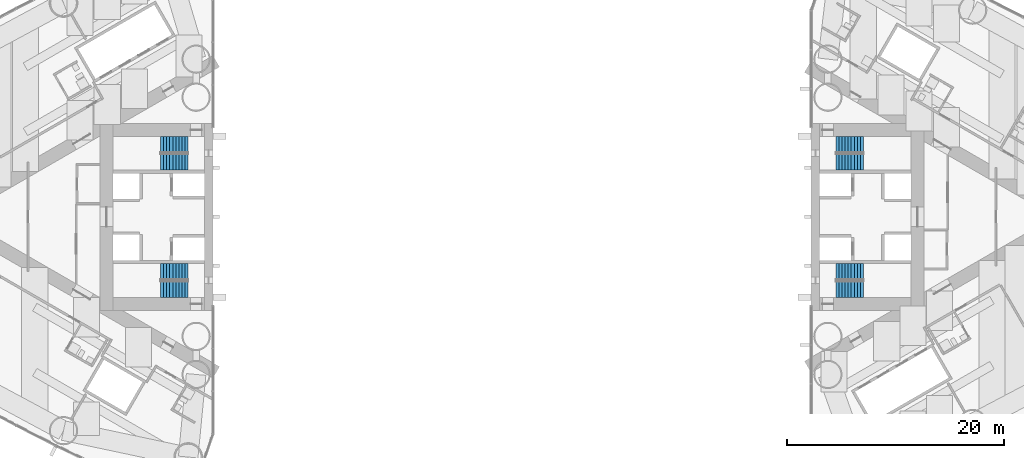
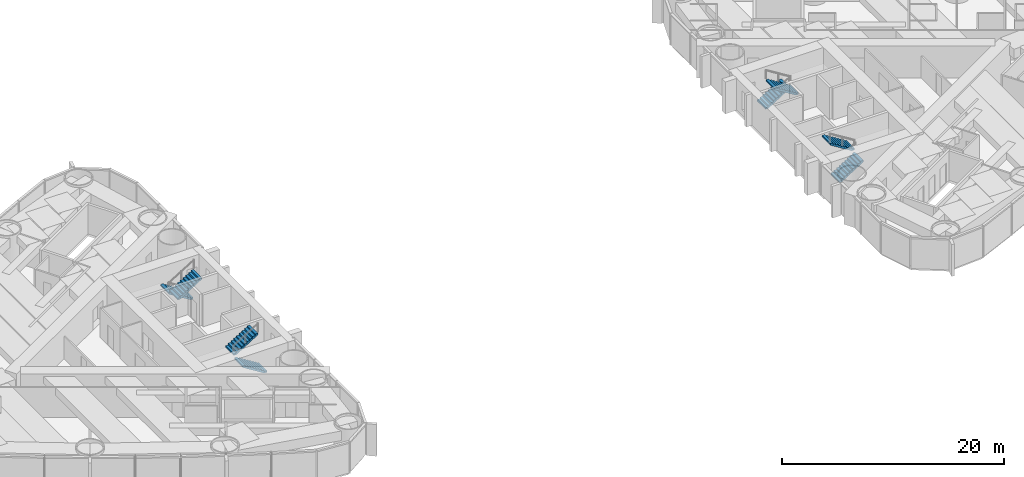
# One storey, part 16 of 18: 8 stair flights, 4 elements without a shape of their own.
"""IFC4 building model written with IfcOpenShell, lengths in metres."""

from ifc_helpers import new_model, si_unit, direction, frame, origin, place, context, subcontext, project, spatial, polyline, outline, extrude, material, type_object, element, aggregate, save


model = new_model("IFC4")

# Units and contexts
model_context = context("Model", 3, precision=1e-05, world=origin(), true_north=direction((0.0, 1.0)))
body_context = subcontext(model_context, "Body", "Model", "MODEL_VIEW")
ifc_project = project(units=[si_unit("LENGTHUNIT", "METRE"), si_unit("AREAUNIT", "SQUARE_METRE"), si_unit("VOLUMEUNIT", "CUBIC_METRE"), si_unit("PLANEANGLEUNIT", "RADIAN"), si_unit("MASSUNIT", "GRAM", prefix="KILO")], contexts=[model_context])

# Site, building, storey
site_placement = place(None, origin())
site = spatial("IfcSite", under=ifc_project, at=site_placement, CompositionType="ELEMENT")
building_placement = place(site_placement, origin())
building = spatial("IfcBuilding", under=site, at=building_placement, Name="Lancet Gate Hotel", CompositionType="ELEMENT")
storey_placement = place(building_placement, frame((0.0, 0.0, 108.10009765625)))
storey = spatial("IfcBuildingStorey", under=building, at=storey_placement, Name="L28", CompositionType="ELEMENT", Elevation=108.10009765625)

# Stair, stair flights
ifc_material_1 = material(Name="Exit stair 20 risers 1500")
stair_type = type_object("IfcStairType", Name="Exit stair 20 risers 1500", PredefinedType="HALF_TURN_STAIR", material=ifc_material_1)
stair_1_placement = place(storey_placement, origin())
stair_1 = element("IfcStair", 1, at=stair_1_placement, inside=storey, type_object=stair_type, Name="T1 stair 1 L28", PredefinedType="HALF_TURN_STAIR")
ifc_material_2 = material(Name="Stair flight 10 risers 175 rise 1500")
stair_flight_type = type_object("IfcStairFlightType", Name="Stair flight 10 risers 175 rise 1500", PredefinedType="STRAIGHT", material=ifc_material_2)
stair_flight_1_placement = place(storey_placement, frame((-29.800048828125, 6.64990234375, 0.0), z_axis=(0.0, 0.0, 1.0), x_axis=(-1.0, 0.0, 0.0)))
stair_flight_1 = element("IfcStairFlight", 2, at=stair_flight_1_placement, type_object=stair_flight_type, Name="ST1 flight 1", NumberOfRisers=10, NumberOfTreads=9, PredefinedType="STRAIGHT", RiserHeight=0.175, TreadLength=0.28, context=body_context, shape_type="SweptSolid", body=[
    extrude(outline(polyline([(0.0, 0.0), (0.0, 0.175048828125), (0.280029296875, 0.175048828125), (0.280029296875, 0.35009765625), (0.56005859375, 0.35009765625), (0.56005859375, 0.52490234375), (0.840087890625, 0.52490234375), (0.840087890625, 0.699951171875), (1.1201171875, 0.699951171875), (1.1201171875, 0.875), (1.39990234375, 0.875), (1.39990234375, 1.050048828125), (1.679931640625, 1.050048828125), (1.679931640625, 1.22509765625), (1.9599609375, 1.22509765625), (1.9599609375, 1.39990234375), (2.239990234375, 1.39990234375), (2.239990234375, 1.574951171875), (2.52001953125, 1.574951171875), (2.52001953125, 1.75), (2.52001953125, 1.398193359375), (0.28271484375, 0.0), (0.0, 0.0)])), frame((0.0, 0.75, 0.0), z_axis=(0.0, -1.0, 0.0), x_axis=(1.0, 0.0, 0.0)), (0.0, 0.0, 1.0), 1.5),
])
stair_flight_2_placement = place(storey_placement, frame((-32.320068359375, 5.050048828125, 1.75), z_axis=(0.0, 0.0, 1.0), x_axis=(1.0, 0.0, 0.0)))
stair_flight_2 = element("IfcStairFlight", 3, at=stair_flight_2_placement, type_object=stair_flight_type, Name="ST1 flight 2", NumberOfRisers=10, NumberOfTreads=9, PredefinedType="STRAIGHT", RiserHeight=0.175, TreadLength=0.28, context=body_context, shape_type="SweptSolid", body=[
    extrude(outline(polyline([(0.0, 0.0), (0.0, 0.175048828125), (0.280029296875, 0.175048828125), (0.280029296875, 0.35009765625), (0.56005859375, 0.35009765625), (0.56005859375, 0.52490234375), (0.840087890625, 0.52490234375), (0.840087890625, 0.699951171875), (1.1201171875, 0.699951171875), (1.1201171875, 0.875), (1.39990234375, 0.875), (1.39990234375, 1.050048828125), (1.679931640625, 1.050048828125), (1.679931640625, 1.22509765625), (1.9599609375, 1.22509765625), (1.9599609375, 1.39990234375), (2.239990234375, 1.39990234375), (2.239990234375, 1.574951171875), (2.52001953125, 1.574951171875), (2.52001953125, 1.75), (2.52001953125, 1.398193359375), (0.28271484375, 0.0), (0.0, 0.0)])), frame((0.0, 0.75, 0.0), z_axis=(0.0, -1.0, 0.0), x_axis=(1.0, 0.0, 0.0)), (0.0, 0.0, 1.0), 1.5),
])
aggregate(stair_1, [stair_flight_1, stair_flight_2])

stair_2_placement = place(storey_placement, origin())
stair_2 = element("IfcStair", 4, at=stair_2_placement, inside=storey, type_object=stair_type, Name="T1 stair 2 L28", PredefinedType="HALF_TURN_STAIR")
stair_flight_3_placement = place(storey_placement, frame((-29.800048828125, -6.64990234375, 0.0), z_axis=(0.0, 0.0, 1.0), x_axis=(-1.0, 0.0, 0.0)))
stair_flight_3 = element("IfcStairFlight", 5, at=stair_flight_3_placement, type_object=stair_flight_type, Name="ST2 flight 1", NumberOfRisers=10, NumberOfTreads=9, PredefinedType="STRAIGHT", RiserHeight=0.175, TreadLength=0.28, context=body_context, shape_type="SweptSolid", body=[
    extrude(outline(polyline([(0.0, 0.0), (0.0, 0.175048828125), (0.280029296875, 0.175048828125), (0.280029296875, 0.35009765625), (0.56005859375, 0.35009765625), (0.56005859375, 0.52490234375), (0.840087890625, 0.52490234375), (0.840087890625, 0.699951171875), (1.1201171875, 0.699951171875), (1.1201171875, 0.875), (1.39990234375, 0.875), (1.39990234375, 1.050048828125), (1.679931640625, 1.050048828125), (1.679931640625, 1.22509765625), (1.9599609375, 1.22509765625), (1.9599609375, 1.39990234375), (2.239990234375, 1.39990234375), (2.239990234375, 1.574951171875), (2.52001953125, 1.574951171875), (2.52001953125, 1.75), (2.52001953125, 1.398193359375), (0.28271484375, 0.0), (0.0, 0.0)])), frame((0.0, 0.75, 0.0), z_axis=(0.0, -1.0, 0.0), x_axis=(1.0, 0.0, 0.0)), (0.0, 0.0, 1.0), 1.5),
])
stair_flight_4_placement = place(storey_placement, frame((-32.320068359375, -5.050048828125, 1.75), z_axis=(0.0, 0.0, 1.0), x_axis=(1.0, 0.0, 0.0)))
stair_flight_4 = element("IfcStairFlight", 6, at=stair_flight_4_placement, type_object=stair_flight_type, Name="ST2 flight 2", NumberOfRisers=10, NumberOfTreads=9, PredefinedType="STRAIGHT", RiserHeight=0.175, TreadLength=0.28, context=body_context, shape_type="SweptSolid", body=[
    extrude(outline(polyline([(0.0, 0.0), (0.0, 0.175048828125), (0.280029296875, 0.175048828125), (0.280029296875, 0.35009765625), (0.56005859375, 0.35009765625), (0.56005859375, 0.52490234375), (0.840087890625, 0.52490234375), (0.840087890625, 0.699951171875), (1.1201171875, 0.699951171875), (1.1201171875, 0.875), (1.39990234375, 0.875), (1.39990234375, 1.050048828125), (1.679931640625, 1.050048828125), (1.679931640625, 1.22509765625), (1.9599609375, 1.22509765625), (1.9599609375, 1.39990234375), (2.239990234375, 1.39990234375), (2.239990234375, 1.574951171875), (2.52001953125, 1.574951171875), (2.52001953125, 1.75), (2.52001953125, 1.398193359375), (0.28271484375, 0.0), (0.0, 0.0)])), frame((0.0, 0.75, 0.0), z_axis=(0.0, -1.0, 0.0), x_axis=(1.0, 0.0, 0.0)), (0.0, 0.0, 1.0), 1.5),
])
aggregate(stair_2, [stair_flight_3, stair_flight_4])

stair_3_placement = place(storey_placement, origin())
stair_3 = element("IfcStair", 7, at=stair_3_placement, inside=storey, type_object=stair_type, Name="T2 stair 1 L28", PredefinedType="HALF_TURN_STAIR")
stair_flight_5_placement = place(storey_placement, frame((29.800048828125, -6.64990234375, 0.0), z_axis=(0.0, 0.0, 1.0), x_axis=(1.0, 0.0, 0.0)))
stair_flight_5 = element("IfcStairFlight", 8, at=stair_flight_5_placement, type_object=stair_flight_type, Name="ST3 flight 1", NumberOfRisers=10, NumberOfTreads=9, PredefinedType="STRAIGHT", RiserHeight=0.175, TreadLength=0.28, context=body_context, shape_type="SweptSolid", body=[
    extrude(outline(polyline([(0.0, 0.0), (0.0, 0.175048828125), (0.280029296875, 0.175048828125), (0.280029296875, 0.35009765625), (0.56005859375, 0.35009765625), (0.56005859375, 0.52490234375), (0.840087890625, 0.52490234375), (0.840087890625, 0.699951171875), (1.1201171875, 0.699951171875), (1.1201171875, 0.875), (1.39990234375, 0.875), (1.39990234375, 1.050048828125), (1.679931640625, 1.050048828125), (1.679931640625, 1.22509765625), (1.9599609375, 1.22509765625), (1.9599609375, 1.39990234375), (2.239990234375, 1.39990234375), (2.239990234375, 1.574951171875), (2.52001953125, 1.574951171875), (2.52001953125, 1.75), (2.52001953125, 1.398193359375), (0.28271484375, 0.0), (0.0, 0.0)])), frame((0.0, 0.75, 0.0), z_axis=(0.0, -1.0, 0.0), x_axis=(1.0, 0.0, 0.0)), (0.0, 0.0, 1.0), 1.5),
])
stair_flight_6_placement = place(storey_placement, frame((32.320068359375, -5.050048828125, 1.75), z_axis=(0.0, 0.0, 1.0), x_axis=(-1.0, 0.0, 0.0)))
stair_flight_6 = element("IfcStairFlight", 9, at=stair_flight_6_placement, type_object=stair_flight_type, Name="ST3 flight 2", NumberOfRisers=10, NumberOfTreads=9, PredefinedType="STRAIGHT", RiserHeight=0.175, TreadLength=0.28, context=body_context, shape_type="SweptSolid", body=[
    extrude(outline(polyline([(0.0, 0.0), (0.0, 0.175048828125), (0.280029296875, 0.175048828125), (0.280029296875, 0.35009765625), (0.56005859375, 0.35009765625), (0.56005859375, 0.52490234375), (0.840087890625, 0.52490234375), (0.840087890625, 0.699951171875), (1.1201171875, 0.699951171875), (1.1201171875, 0.875), (1.39990234375, 0.875), (1.39990234375, 1.050048828125), (1.679931640625, 1.050048828125), (1.679931640625, 1.22509765625), (1.9599609375, 1.22509765625), (1.9599609375, 1.39990234375), (2.239990234375, 1.39990234375), (2.239990234375, 1.574951171875), (2.52001953125, 1.574951171875), (2.52001953125, 1.75), (2.52001953125, 1.398193359375), (0.28271484375, 0.0), (0.0, 0.0)])), frame((0.0, 0.75, 0.0), z_axis=(0.0, -1.0, 0.0), x_axis=(1.0, 0.0, 0.0)), (0.0, 0.0, 1.0), 1.5),
])
aggregate(stair_3, [stair_flight_5, stair_flight_6])

stair_4_placement = place(storey_placement, origin())
stair_4 = element("IfcStair", 10, at=stair_4_placement, inside=storey, type_object=stair_type, Name="T2 stair 2 L28", PredefinedType="HALF_TURN_STAIR")
stair_flight_7_placement = place(storey_placement, frame((29.800048828125, 6.64990234375, 0.0), z_axis=(0.0, 0.0, 1.0), x_axis=(1.0, 0.0, 0.0)))
stair_flight_7 = element("IfcStairFlight", 11, at=stair_flight_7_placement, type_object=stair_flight_type, Name="ST4 flight 1", NumberOfRisers=10, NumberOfTreads=9, PredefinedType="STRAIGHT", RiserHeight=0.175, TreadLength=0.28, context=body_context, shape_type="SweptSolid", body=[
    extrude(outline(polyline([(0.0, 0.0), (0.0, 0.175048828125), (0.280029296875, 0.175048828125), (0.280029296875, 0.35009765625), (0.56005859375, 0.35009765625), (0.56005859375, 0.52490234375), (0.840087890625, 0.52490234375), (0.840087890625, 0.699951171875), (1.1201171875, 0.699951171875), (1.1201171875, 0.875), (1.39990234375, 0.875), (1.39990234375, 1.050048828125), (1.679931640625, 1.050048828125), (1.679931640625, 1.22509765625), (1.9599609375, 1.22509765625), (1.9599609375, 1.39990234375), (2.239990234375, 1.39990234375), (2.239990234375, 1.574951171875), (2.52001953125, 1.574951171875), (2.52001953125, 1.75), (2.52001953125, 1.398193359375), (0.28271484375, 0.0), (0.0, 0.0)])), frame((0.0, 0.75, 0.0), z_axis=(0.0, -1.0, 0.0), x_axis=(1.0, 0.0, 0.0)), (0.0, 0.0, 1.0), 1.5),
])
stair_flight_8_placement = place(storey_placement, frame((32.320068359375, 5.050048828125, 1.75), z_axis=(0.0, 0.0, 1.0), x_axis=(-1.0, 0.0, 0.0)))
stair_flight_8 = element("IfcStairFlight", 12, at=stair_flight_8_placement, type_object=stair_flight_type, Name="ST4 flight 2", NumberOfRisers=10, NumberOfTreads=9, PredefinedType="STRAIGHT", RiserHeight=0.175, TreadLength=0.28, context=body_context, shape_type="SweptSolid", body=[
    extrude(outline(polyline([(0.0, 0.0), (0.0, 0.175048828125), (0.280029296875, 0.175048828125), (0.280029296875, 0.35009765625), (0.56005859375, 0.35009765625), (0.56005859375, 0.52490234375), (0.840087890625, 0.52490234375), (0.840087890625, 0.699951171875), (1.1201171875, 0.699951171875), (1.1201171875, 0.875), (1.39990234375, 0.875), (1.39990234375, 1.050048828125), (1.679931640625, 1.050048828125), (1.679931640625, 1.22509765625), (1.9599609375, 1.22509765625), (1.9599609375, 1.39990234375), (2.239990234375, 1.39990234375), (2.239990234375, 1.574951171875), (2.52001953125, 1.574951171875), (2.52001953125, 1.75), (2.52001953125, 1.398193359375), (0.28271484375, 0.0), (0.0, 0.0)])), frame((0.0, 0.75, 0.0), z_axis=(0.0, -1.0, 0.0), x_axis=(1.0, 0.0, 0.0)), (0.0, 0.0, 1.0), 1.5),
])
aggregate(stair_4, [stair_flight_7, stair_flight_8])

save(model, "model.ifc")
